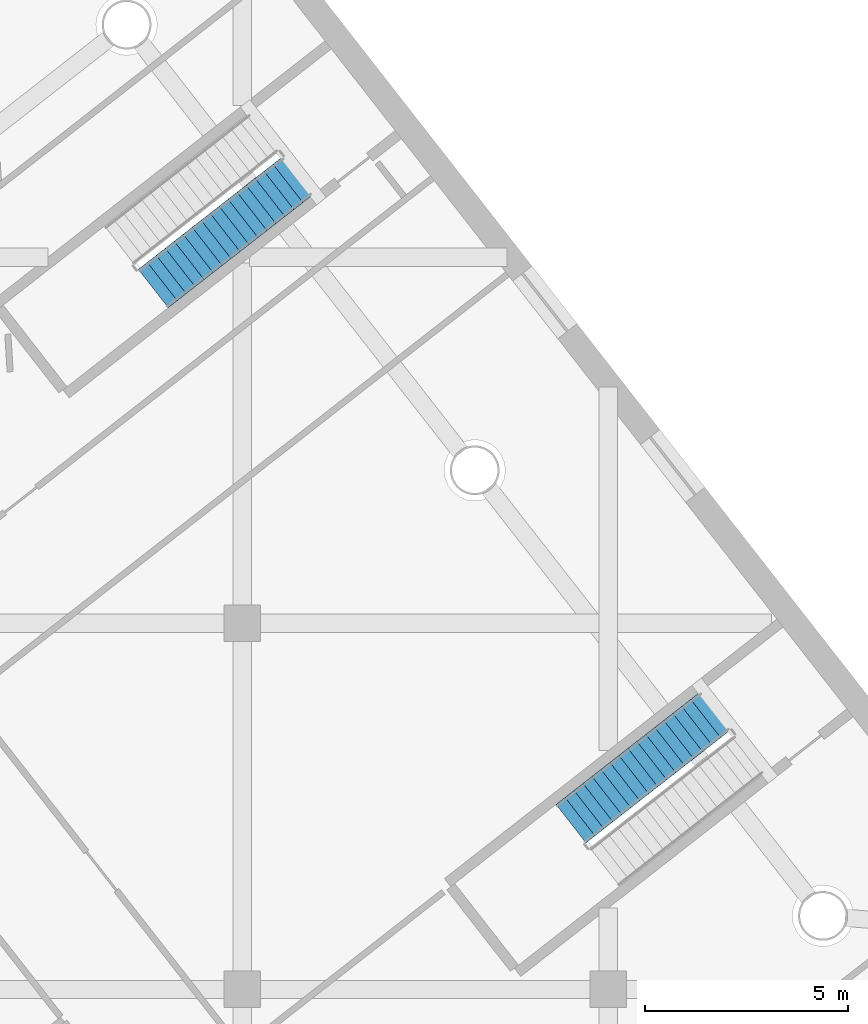
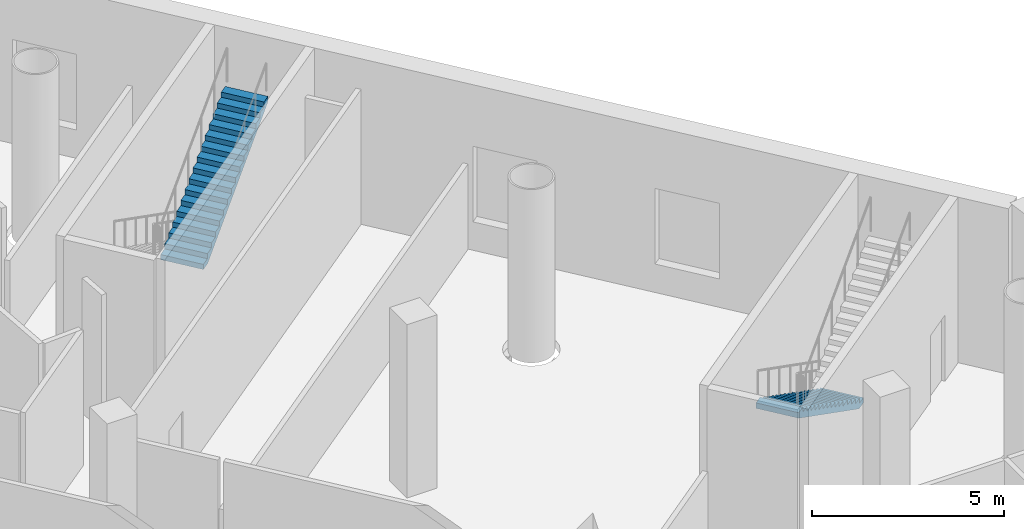
# One storey, part 18 of 23: 2 stair flights, 2 elements without a shape of their own.
"""IFC4 building model written with IfcOpenShell, lengths in metres."""

from ifc_helpers import new_model, si_unit, direction, frame, origin, place, context, subcontext, project, spatial, faceted_brep, material, type_object, element, aggregate, save


model = new_model("IFC4")

# Units and contexts
model_context = context("Model", 3, precision=1e-05, world=origin(), true_north=direction((0.0, 1.0)))
body_context = subcontext(model_context, "Body", "Model", "MODEL_VIEW")
ifc_project = project(units=[si_unit("LENGTHUNIT", "METRE"), si_unit("AREAUNIT", "SQUARE_METRE"), si_unit("VOLUMEUNIT", "CUBIC_METRE"), si_unit("PLANEANGLEUNIT", "RADIAN"), si_unit("MASSUNIT", "GRAM", prefix="KILO")], contexts=[model_context])

# Site, building, storey
site_placement = place(None, origin())
site = spatial("IfcSite", under=ifc_project, at=site_placement, CompositionType="ELEMENT")
building_placement = place(site_placement, origin())
building = spatial("IfcBuilding", under=site, at=building_placement, Name="Tarsis Ring Headquarters", CompositionType="ELEMENT")
storey_placement = place(building_placement, frame((0.0, 0.0, 19.5)))
storey = spatial("IfcBuildingStorey", under=building, at=storey_placement, Name="L03", CompositionType="ELEMENT", Elevation=19.5)

# Stair, stair flight
ifc_material = material(Name="Concrete C40/50", Category="concrete")
stair_type = type_object("IfcStairType", Name="PO-ST", PredefinedType="HALF_TURN_STAIR", material=ifc_material)
stair_1_placement = place(storey_placement, origin())
stair_1 = element("IfcStair", 1, at=stair_1_placement, inside=storey, type_object=stair_type, Name="L03 Podium stair", PredefinedType="HALF_TURN_STAIR")
stair_flight_type = type_object("IfcStairFlightType", Name="PO-STF", PredefinedType="STRAIGHT", material=ifc_material)
stair_flight_1_placement = place(storey_placement, frame((-6.387939453125, 33.8330078125, 0.0), z_axis=(0.0, 0.0, 1.0), x_axis=(-0.788276433435, -0.615321269331, 0.0)))
stair_flight_1 = element("IfcStairFlight", 2, at=stair_flight_1_placement, type_object=stair_flight_type, Name="Stair PS3 flight 1", NumberOfRisers=17, NumberOfTreads=16, PredefinedType="STRAIGHT", RiserHeight=0.161764706, TreadLength=0.28, context=body_context, shape_type="Brep", body=[
    faceted_brep([(0.0, 0.60009765625, 0.0), (0.0, 0.60009765625, 0.161865234375), (0.280029296875, 0.60009765625, 0.161865234375), (0.280029296875, 0.60009765625, 0.323486328125), (0.56005859375, 0.60009765625, 0.323486328125), (0.56005859375, 0.60009765625, 0.4853515625), (0.840087890625, 0.60009765625, 0.4853515625), (0.840087890625, 0.60009765625, 0.64697265625), (1.1201171875, 0.60009765625, 0.64697265625), (1.1201171875, 0.60009765625, 0.808837890625), (1.39990234375, 0.60009765625, 0.808837890625), (1.39990234375, 0.60009765625, 0.970703125), (1.679931640625, 0.60009765625, 0.970703125), (1.679931640625, 0.60009765625, 1.13232421875), (1.9599609375, 0.60009765625, 1.13232421875), (1.9599609375, 0.60009765625, 1.294189453125), (2.239990234375, 0.60009765625, 1.294189453125), (2.239990234375, 0.60009765625, 1.455810546875), (2.52001953125, 0.60009765625, 1.455810546875), (2.52001953125, 0.60009765625, 1.61767578125), (2.800048828125, 0.60009765625, 1.61767578125), (2.800048828125, 0.60009765625, 1.779296875), (3.080078125, 0.60009765625, 1.779296875), (3.080078125, 0.60009765625, 1.941162109375), (3.360107421875, 0.60009765625, 1.941162109375), (3.360107421875, 0.60009765625, 2.10302734375), (3.639892578125, 0.60009765625, 2.10302734375), (3.639892578125, 0.60009765625, 2.2646484375), (3.919921875, 0.60009765625, 2.2646484375), (3.919921875, 0.60009765625, 2.426513671875), (4.199951171875, 0.60009765625, 2.426513671875), (4.199951171875, 0.60009765625, 2.588134765625), (4.47998046875, 0.60009765625, 2.588134765625), (4.47998046875, 0.60009765625, 2.4150390625), (0.299560546875, 0.60009765625, 0.0), (0.299560546875, -0.60009765625, 0.0), (4.47998046875, -0.60009765625, 2.4150390625), (4.47998046875, -0.60009765625, 2.588134765625), (4.199951171875, -0.60009765625, 2.588134765625), (4.199951171875, -0.60009765625, 2.426513671875), (3.919921875, -0.60009765625, 2.426513671875), (3.919921875, -0.60009765625, 2.2646484375), (3.639892578125, -0.60009765625, 2.2646484375), (3.639892578125, -0.60009765625, 2.10302734375), (3.360107421875, -0.60009765625, 2.10302734375), (3.360107421875, -0.60009765625, 1.941162109375), (3.080078125, -0.60009765625, 1.941162109375), (3.080078125, -0.60009765625, 1.779296875), (2.800048828125, -0.60009765625, 1.779296875), (2.800048828125, -0.60009765625, 1.61767578125), (2.52001953125, -0.60009765625, 1.61767578125), (2.52001953125, -0.60009765625, 1.455810546875), (2.239990234375, -0.60009765625, 1.455810546875), (2.239990234375, -0.60009765625, 1.294189453125), (1.9599609375, -0.60009765625, 1.294189453125), (1.9599609375, -0.60009765625, 1.13232421875), (1.679931640625, -0.60009765625, 1.13232421875), (1.679931640625, -0.60009765625, 0.970703125), (1.39990234375, -0.60009765625, 0.970703125), (1.39990234375, -0.60009765625, 0.808837890625), (1.1201171875, -0.60009765625, 0.808837890625), (1.1201171875, -0.60009765625, 0.64697265625), (0.840087890625, -0.60009765625, 0.64697265625), (0.840087890625, -0.60009765625, 0.4853515625), (0.56005859375, -0.60009765625, 0.4853515625), (0.56005859375, -0.60009765625, 0.323486328125), (0.280029296875, -0.60009765625, 0.323486328125), (0.280029296875, -0.60009765625, 0.161865234375), (0.0, -0.60009765625, 0.161865234375), (0.0, -0.60009765625, 0.0), (0.0, -0.300048828125, 0.161865234375), (0.0, -0.300048828125, 0.0), (0.0, 0.0, 0.161865234375), (0.0, 0.0, 0.0), (0.0, 0.300048828125, 0.161865234375), (0.0, 0.300048828125, 0.0), (0.280029296875, -0.300048828125, 0.161865234375), (0.280029296875, 0.0, 0.161865234375), (0.280029296875, 0.300048828125, 0.161865234375), (0.280029296875, -0.300048828125, 0.323486328125), (0.280029296875, 0.0, 0.323486328125), (0.280029296875, 0.300048828125, 0.323486328125), (0.56005859375, -0.300048828125, 0.323486328125), (0.56005859375, 0.0, 0.323486328125), (0.56005859375, 0.300048828125, 0.323486328125), (0.56005859375, -0.300048828125, 0.4853515625), (0.56005859375, 0.0, 0.4853515625), (0.56005859375, 0.300048828125, 0.4853515625), (0.840087890625, -0.300048828125, 0.4853515625), (0.840087890625, 0.0, 0.4853515625), (0.840087890625, 0.300048828125, 0.4853515625), (0.840087890625, -0.300048828125, 0.64697265625), (0.840087890625, 0.0, 0.64697265625), (0.840087890625, 0.300048828125, 0.64697265625), (1.1201171875, -0.300048828125, 0.64697265625), (1.1201171875, 0.0, 0.64697265625), (1.1201171875, 0.300048828125, 0.64697265625), (1.1201171875, -0.300048828125, 0.808837890625), (1.1201171875, 0.0, 0.808837890625), (1.1201171875, 0.300048828125, 0.808837890625), (1.39990234375, -0.300048828125, 0.808837890625), (1.39990234375, 0.0, 0.808837890625), (1.39990234375, 0.300048828125, 0.808837890625), (1.39990234375, -0.300048828125, 0.970703125), (1.39990234375, 0.0, 0.970703125), (1.39990234375, 0.300048828125, 0.970703125), (1.679931640625, -0.300048828125, 0.970703125), (1.679931640625, 0.0, 0.970703125), (1.679931640625, 0.300048828125, 0.970703125), (1.679931640625, -0.300048828125, 1.13232421875), (1.679931640625, 0.0, 1.13232421875), (1.679931640625, 0.300048828125, 1.13232421875), (1.9599609375, -0.300048828125, 1.13232421875), (1.9599609375, 0.0, 1.13232421875), (1.9599609375, 0.300048828125, 1.13232421875), (1.9599609375, -0.300048828125, 1.294189453125), (1.9599609375, 0.0, 1.294189453125), (1.9599609375, 0.300048828125, 1.294189453125), (2.239990234375, -0.300048828125, 1.294189453125), (2.239990234375, 0.0, 1.294189453125), (2.239990234375, 0.300048828125, 1.294189453125), (2.239990234375, -0.300048828125, 1.455810546875), (2.239990234375, 0.0, 1.455810546875), (2.239990234375, 0.300048828125, 1.455810546875), (2.52001953125, -0.300048828125, 1.455810546875), (2.52001953125, 0.0, 1.455810546875), (2.52001953125, 0.300048828125, 1.455810546875), (2.52001953125, -0.300048828125, 1.61767578125), (2.52001953125, 0.0, 1.61767578125), (2.52001953125, 0.300048828125, 1.61767578125), (2.800048828125, -0.300048828125, 1.61767578125), (2.800048828125, 0.0, 1.61767578125), (2.800048828125, 0.300048828125, 1.61767578125), (2.800048828125, -0.300048828125, 1.779296875), (2.800048828125, 0.0, 1.779296875), (2.800048828125, 0.300048828125, 1.779296875), (3.080078125, -0.300048828125, 1.779296875), (3.080078125, 0.0, 1.779296875), (3.080078125, 0.300048828125, 1.779296875), (3.080078125, -0.300048828125, 1.941162109375), (3.080078125, 0.0, 1.941162109375), (3.080078125, 0.300048828125, 1.941162109375), (3.360107421875, -0.300048828125, 1.941162109375), (3.360107421875, 0.0, 1.941162109375), (3.360107421875, 0.300048828125, 1.941162109375), (3.360107421875, -0.300048828125, 2.10302734375), (3.360107421875, 0.0, 2.10302734375), (3.360107421875, 0.300048828125, 2.10302734375), (3.639892578125, -0.300048828125, 2.10302734375), (3.639892578125, 0.0, 2.10302734375), (3.639892578125, 0.300048828125, 2.10302734375), (3.639892578125, -0.300048828125, 2.2646484375), (3.639892578125, 0.0, 2.2646484375), (3.639892578125, 0.300048828125, 2.2646484375), (3.919921875, -0.300048828125, 2.2646484375), (3.919921875, 0.0, 2.2646484375), (3.919921875, 0.300048828125, 2.2646484375), (3.919921875, -0.300048828125, 2.426513671875), (3.919921875, 0.0, 2.426513671875), (3.919921875, 0.300048828125, 2.426513671875), (4.199951171875, -0.300048828125, 2.426513671875), (4.199951171875, 0.0, 2.426513671875), (4.199951171875, 0.300048828125, 2.426513671875), (4.199951171875, -0.300048828125, 2.588134765625), (4.199951171875, 0.0, 2.588134765625), (4.199951171875, 0.300048828125, 2.588134765625), (4.47998046875, -0.300048828125, 2.588134765625), (4.47998046875, 0.0, 2.588134765625), (4.47998046875, 0.300048828125, 2.588134765625), (4.47998046875, -0.300048828125, 2.4150390625), (4.47998046875, 0.0, 2.4150390625), (4.47998046875, 0.300048828125, 2.4150390625), (0.299560546875, -0.300048828125, 0.0), (0.299560546875, 0.0, 0.0), (0.299560546875, 0.300048828125, 0.0)], [[[0, 1, 2, 3, 4, 5, 6, 7, 8, 9, 10, 11, 12, 13, 14, 15, 16, 17, 18, 19, 20, 21, 22, 23, 24, 25, 26, 27, 28, 29, 30, 31, 32, 33, 34]], [[35, 36, 37, 38, 39, 40, 41, 42, 43, 44, 45, 46, 47, 48, 49, 50, 51, 52, 53, 54, 55, 56, 57, 58, 59, 60, 61, 62, 63, 64, 65, 66, 67, 68, 69]], [[69, 68, 70, 71]], [[71, 70, 72, 73]], [[73, 72, 74, 75]], [[75, 74, 1, 0]], [[68, 67, 76, 70]], [[70, 76, 77, 72]], [[72, 77, 78, 74]], [[74, 78, 2, 1]], [[67, 66, 79, 76]], [[76, 79, 80, 77]], [[77, 80, 81, 78]], [[78, 81, 3, 2]], [[66, 65, 82, 79]], [[79, 82, 83, 80]], [[80, 83, 84, 81]], [[81, 84, 4, 3]], [[65, 64, 85, 82]], [[82, 85, 86, 83]], [[83, 86, 87, 84]], [[84, 87, 5, 4]], [[64, 63, 88, 85]], [[85, 88, 89, 86]], [[86, 89, 90, 87]], [[87, 90, 6, 5]], [[63, 62, 91, 88]], [[88, 91, 92, 89]], [[89, 92, 93, 90]], [[90, 93, 7, 6]], [[62, 61, 94, 91]], [[91, 94, 95, 92]], [[92, 95, 96, 93]], [[93, 96, 8, 7]], [[61, 60, 97, 94]], [[94, 97, 98, 95]], [[95, 98, 99, 96]], [[96, 99, 9, 8]], [[60, 59, 100, 97]], [[97, 100, 101, 98]], [[98, 101, 102, 99]], [[99, 102, 10, 9]], [[59, 58, 103, 100]], [[100, 103, 104, 101]], [[101, 104, 105, 102]], [[102, 105, 11, 10]], [[58, 57, 106, 103]], [[103, 106, 107, 104]], [[104, 107, 108, 105]], [[105, 108, 12, 11]], [[57, 56, 109, 106]], [[106, 109, 110, 107]], [[107, 110, 111, 108]], [[108, 111, 13, 12]], [[56, 55, 112, 109]], [[109, 112, 113, 110]], [[110, 113, 114, 111]], [[111, 114, 14, 13]], [[55, 54, 115, 112]], [[112, 115, 116, 113]], [[113, 116, 117, 114]], [[114, 117, 15, 14]], [[54, 53, 118, 115]], [[115, 118, 119, 116]], [[116, 119, 120, 117]], [[117, 120, 16, 15]], [[53, 52, 121, 118]], [[118, 121, 122, 119]], [[119, 122, 123, 120]], [[120, 123, 17, 16]], [[52, 51, 124, 121]], [[121, 124, 125, 122]], [[122, 125, 126, 123]], [[123, 126, 18, 17]], [[51, 50, 127, 124]], [[124, 127, 128, 125]], [[125, 128, 129, 126]], [[126, 129, 19, 18]], [[50, 49, 130, 127]], [[127, 130, 131, 128]], [[128, 131, 132, 129]], [[129, 132, 20, 19]], [[49, 48, 133, 130]], [[130, 133, 134, 131]], [[131, 134, 135, 132]], [[132, 135, 21, 20]], [[48, 47, 136, 133]], [[133, 136, 137, 134]], [[134, 137, 138, 135]], [[135, 138, 22, 21]], [[47, 46, 139, 136]], [[136, 139, 140, 137]], [[137, 140, 141, 138]], [[138, 141, 23, 22]], [[46, 45, 142, 139]], [[139, 142, 143, 140]], [[140, 143, 144, 141]], [[141, 144, 24, 23]], [[45, 44, 145, 142]], [[142, 145, 146, 143]], [[143, 146, 147, 144]], [[144, 147, 25, 24]], [[44, 43, 148, 145]], [[145, 148, 149, 146]], [[146, 149, 150, 147]], [[147, 150, 26, 25]], [[43, 42, 151, 148]], [[148, 151, 152, 149]], [[149, 152, 153, 150]], [[150, 153, 27, 26]], [[42, 41, 154, 151]], [[151, 154, 155, 152]], [[152, 155, 156, 153]], [[153, 156, 28, 27]], [[41, 40, 157, 154]], [[154, 157, 158, 155]], [[155, 158, 159, 156]], [[156, 159, 29, 28]], [[40, 39, 160, 157]], [[157, 160, 161, 158]], [[158, 161, 162, 159]], [[159, 162, 30, 29]], [[39, 38, 163, 160]], [[160, 163, 164, 161]], [[161, 164, 165, 162]], [[162, 165, 31, 30]], [[38, 37, 166, 163]], [[163, 166, 167, 164]], [[164, 167, 168, 165]], [[165, 168, 32, 31]], [[37, 36, 169, 166]], [[166, 169, 170, 167]], [[167, 170, 171, 168]], [[168, 171, 33, 32]], [[36, 35, 172, 169]], [[169, 172, 173, 170]], [[170, 173, 174, 171]], [[171, 174, 34, 33]], [[35, 69, 71, 172]], [[172, 71, 73, 173]], [[173, 73, 75, 174]], [[174, 75, 0, 34]]]),
])
aggregate(stair_1, [stair_flight_1])

stair_2_placement = place(storey_placement, origin())
stair_2 = element("IfcStair", 3, at=stair_2_placement, inside=storey, type_object=stair_type, Name="L03 Podium stair", PredefinedType="HALF_TURN_STAIR")
stair_flight_2_placement = place(storey_placement, frame((-20.188720703125, 44.232177734375, 2.75), z_axis=(0.0, 0.0, 1.0), x_axis=(0.788276433435, 0.615321269331, 0.0)))
stair_flight_2 = element("IfcStairFlight", 4, at=stair_flight_2_placement, type_object=stair_flight_type, Name="Stair PS4 flight 2", NumberOfRisers=17, NumberOfTreads=16, PredefinedType="STRAIGHT", RiserHeight=0.161764706, TreadLength=0.28, context=body_context, shape_type="Brep", body=[
    faceted_brep([(0.0, 0.60009765625, 0.0), (0.0, 0.60009765625, 0.161865234375), (0.280029296875, 0.60009765625, 0.161865234375), (0.280029296875, 0.60009765625, 0.323486328125), (0.56005859375, 0.60009765625, 0.323486328125), (0.56005859375, 0.60009765625, 0.4853515625), (0.840087890625, 0.60009765625, 0.4853515625), (0.840087890625, 0.60009765625, 0.64697265625), (1.1201171875, 0.60009765625, 0.64697265625), (1.1201171875, 0.60009765625, 0.808837890625), (1.39990234375, 0.60009765625, 0.808837890625), (1.39990234375, 0.60009765625, 0.970703125), (1.679931640625, 0.60009765625, 0.970703125), (1.679931640625, 0.60009765625, 1.13232421875), (1.9599609375, 0.60009765625, 1.13232421875), (1.9599609375, 0.60009765625, 1.294189453125), (2.239990234375, 0.60009765625, 1.294189453125), (2.239990234375, 0.60009765625, 1.455810546875), (2.52001953125, 0.60009765625, 1.455810546875), (2.52001953125, 0.60009765625, 1.61767578125), (2.800048828125, 0.60009765625, 1.61767578125), (2.800048828125, 0.60009765625, 1.779296875), (3.080078125, 0.60009765625, 1.779296875), (3.080078125, 0.60009765625, 1.941162109375), (3.360107421875, 0.60009765625, 1.941162109375), (3.360107421875, 0.60009765625, 2.10302734375), (3.639892578125, 0.60009765625, 2.10302734375), (3.639892578125, 0.60009765625, 2.2646484375), (3.919921875, 0.60009765625, 2.2646484375), (3.919921875, 0.60009765625, 2.426513671875), (4.199951171875, 0.60009765625, 2.426513671875), (4.199951171875, 0.60009765625, 2.588134765625), (4.47998046875, 0.60009765625, 2.588134765625), (4.47998046875, 0.60009765625, 2.4150390625), (0.299560546875, 0.60009765625, 0.0), (0.299560546875, -0.60009765625, 0.0), (4.47998046875, -0.60009765625, 2.4150390625), (4.47998046875, -0.60009765625, 2.588134765625), (4.199951171875, -0.60009765625, 2.588134765625), (4.199951171875, -0.60009765625, 2.426513671875), (3.919921875, -0.60009765625, 2.426513671875), (3.919921875, -0.60009765625, 2.2646484375), (3.639892578125, -0.60009765625, 2.2646484375), (3.639892578125, -0.60009765625, 2.10302734375), (3.360107421875, -0.60009765625, 2.10302734375), (3.360107421875, -0.60009765625, 1.941162109375), (3.080078125, -0.60009765625, 1.941162109375), (3.080078125, -0.60009765625, 1.779296875), (2.800048828125, -0.60009765625, 1.779296875), (2.800048828125, -0.60009765625, 1.61767578125), (2.52001953125, -0.60009765625, 1.61767578125), (2.52001953125, -0.60009765625, 1.455810546875), (2.239990234375, -0.60009765625, 1.455810546875), (2.239990234375, -0.60009765625, 1.294189453125), (1.9599609375, -0.60009765625, 1.294189453125), (1.9599609375, -0.60009765625, 1.13232421875), (1.679931640625, -0.60009765625, 1.13232421875), (1.679931640625, -0.60009765625, 0.970703125), (1.39990234375, -0.60009765625, 0.970703125), (1.39990234375, -0.60009765625, 0.808837890625), (1.1201171875, -0.60009765625, 0.808837890625), (1.1201171875, -0.60009765625, 0.64697265625), (0.840087890625, -0.60009765625, 0.64697265625), (0.840087890625, -0.60009765625, 0.4853515625), (0.56005859375, -0.60009765625, 0.4853515625), (0.56005859375, -0.60009765625, 0.323486328125), (0.280029296875, -0.60009765625, 0.323486328125), (0.280029296875, -0.60009765625, 0.161865234375), (0.0, -0.60009765625, 0.161865234375), (0.0, -0.60009765625, 0.0), (0.0, -0.300048828125, 0.161865234375), (0.0, -0.300048828125, 0.0), (0.0, 0.0, 0.161865234375), (0.0, 0.0, 0.0), (0.0, 0.300048828125, 0.161865234375), (0.0, 0.300048828125, 0.0), (0.280029296875, -0.300048828125, 0.161865234375), (0.280029296875, 0.0, 0.161865234375), (0.280029296875, 0.300048828125, 0.161865234375), (0.280029296875, -0.300048828125, 0.323486328125), (0.280029296875, 0.0, 0.323486328125), (0.280029296875, 0.300048828125, 0.323486328125), (0.56005859375, -0.300048828125, 0.323486328125), (0.56005859375, 0.0, 0.323486328125), (0.56005859375, 0.300048828125, 0.323486328125), (0.56005859375, -0.300048828125, 0.4853515625), (0.56005859375, 0.0, 0.4853515625), (0.56005859375, 0.300048828125, 0.4853515625), (0.840087890625, -0.300048828125, 0.4853515625), (0.840087890625, 0.0, 0.4853515625), (0.840087890625, 0.300048828125, 0.4853515625), (0.840087890625, -0.300048828125, 0.64697265625), (0.840087890625, 0.0, 0.64697265625), (0.840087890625, 0.300048828125, 0.64697265625), (1.1201171875, -0.300048828125, 0.64697265625), (1.1201171875, 0.0, 0.64697265625), (1.1201171875, 0.300048828125, 0.64697265625), (1.1201171875, -0.300048828125, 0.808837890625), (1.1201171875, 0.0, 0.808837890625), (1.1201171875, 0.300048828125, 0.808837890625), (1.39990234375, -0.300048828125, 0.808837890625), (1.39990234375, 0.0, 0.808837890625), (1.39990234375, 0.300048828125, 0.808837890625), (1.39990234375, -0.300048828125, 0.970703125), (1.39990234375, 0.0, 0.970703125), (1.39990234375, 0.300048828125, 0.970703125), (1.679931640625, -0.300048828125, 0.970703125), (1.679931640625, 0.0, 0.970703125), (1.679931640625, 0.300048828125, 0.970703125), (1.679931640625, -0.300048828125, 1.13232421875), (1.679931640625, 0.0, 1.13232421875), (1.679931640625, 0.300048828125, 1.13232421875), (1.9599609375, -0.300048828125, 1.13232421875), (1.9599609375, 0.0, 1.13232421875), (1.9599609375, 0.300048828125, 1.13232421875), (1.9599609375, -0.300048828125, 1.294189453125), (1.9599609375, 0.0, 1.294189453125), (1.9599609375, 0.300048828125, 1.294189453125), (2.239990234375, -0.300048828125, 1.294189453125), (2.239990234375, 0.0, 1.294189453125), (2.239990234375, 0.300048828125, 1.294189453125), (2.239990234375, -0.300048828125, 1.455810546875), (2.239990234375, 0.0, 1.455810546875), (2.239990234375, 0.300048828125, 1.455810546875), (2.52001953125, -0.300048828125, 1.455810546875), (2.52001953125, 0.0, 1.455810546875), (2.52001953125, 0.300048828125, 1.455810546875), (2.52001953125, -0.300048828125, 1.61767578125), (2.52001953125, 0.0, 1.61767578125), (2.52001953125, 0.300048828125, 1.61767578125), (2.800048828125, -0.300048828125, 1.61767578125), (2.800048828125, 0.0, 1.61767578125), (2.800048828125, 0.300048828125, 1.61767578125), (2.800048828125, -0.300048828125, 1.779296875), (2.800048828125, 0.0, 1.779296875), (2.800048828125, 0.300048828125, 1.779296875), (3.080078125, -0.300048828125, 1.779296875), (3.080078125, 0.0, 1.779296875), (3.080078125, 0.300048828125, 1.779296875), (3.080078125, -0.300048828125, 1.941162109375), (3.080078125, 0.0, 1.941162109375), (3.080078125, 0.300048828125, 1.941162109375), (3.360107421875, -0.300048828125, 1.941162109375), (3.360107421875, 0.0, 1.941162109375), (3.360107421875, 0.300048828125, 1.941162109375), (3.360107421875, -0.300048828125, 2.10302734375), (3.360107421875, 0.0, 2.10302734375), (3.360107421875, 0.300048828125, 2.10302734375), (3.639892578125, -0.300048828125, 2.10302734375), (3.639892578125, 0.0, 2.10302734375), (3.639892578125, 0.300048828125, 2.10302734375), (3.639892578125, -0.300048828125, 2.2646484375), (3.639892578125, 0.0, 2.2646484375), (3.639892578125, 0.300048828125, 2.2646484375), (3.919921875, -0.300048828125, 2.2646484375), (3.919921875, 0.0, 2.2646484375), (3.919921875, 0.300048828125, 2.2646484375), (3.919921875, -0.300048828125, 2.426513671875), (3.919921875, 0.0, 2.426513671875), (3.919921875, 0.300048828125, 2.426513671875), (4.199951171875, -0.300048828125, 2.426513671875), (4.199951171875, 0.0, 2.426513671875), (4.199951171875, 0.300048828125, 2.426513671875), (4.199951171875, -0.300048828125, 2.588134765625), (4.199951171875, 0.0, 2.588134765625), (4.199951171875, 0.300048828125, 2.588134765625), (4.47998046875, -0.300048828125, 2.588134765625), (4.47998046875, 0.0, 2.588134765625), (4.47998046875, 0.300048828125, 2.588134765625), (4.47998046875, -0.300048828125, 2.4150390625), (4.47998046875, 0.0, 2.4150390625), (4.47998046875, 0.300048828125, 2.4150390625), (0.299560546875, -0.300048828125, 0.0), (0.299560546875, 0.0, 0.0), (0.299560546875, 0.300048828125, 0.0)], [[[0, 1, 2, 3, 4, 5, 6, 7, 8, 9, 10, 11, 12, 13, 14, 15, 16, 17, 18, 19, 20, 21, 22, 23, 24, 25, 26, 27, 28, 29, 30, 31, 32, 33, 34]], [[35, 36, 37, 38, 39, 40, 41, 42, 43, 44, 45, 46, 47, 48, 49, 50, 51, 52, 53, 54, 55, 56, 57, 58, 59, 60, 61, 62, 63, 64, 65, 66, 67, 68, 69]], [[69, 68, 70, 71]], [[71, 70, 72, 73]], [[73, 72, 74, 75]], [[75, 74, 1, 0]], [[68, 67, 76, 70]], [[70, 76, 77, 72]], [[72, 77, 78, 74]], [[74, 78, 2, 1]], [[67, 66, 79, 76]], [[76, 79, 80, 77]], [[77, 80, 81, 78]], [[78, 81, 3, 2]], [[66, 65, 82, 79]], [[79, 82, 83, 80]], [[80, 83, 84, 81]], [[81, 84, 4, 3]], [[65, 64, 85, 82]], [[82, 85, 86, 83]], [[83, 86, 87, 84]], [[84, 87, 5, 4]], [[64, 63, 88, 85]], [[85, 88, 89, 86]], [[86, 89, 90, 87]], [[87, 90, 6, 5]], [[63, 62, 91, 88]], [[88, 91, 92, 89]], [[89, 92, 93, 90]], [[90, 93, 7, 6]], [[62, 61, 94, 91]], [[91, 94, 95, 92]], [[92, 95, 96, 93]], [[93, 96, 8, 7]], [[61, 60, 97, 94]], [[94, 97, 98, 95]], [[95, 98, 99, 96]], [[96, 99, 9, 8]], [[60, 59, 100, 97]], [[97, 100, 101, 98]], [[98, 101, 102, 99]], [[99, 102, 10, 9]], [[59, 58, 103, 100]], [[100, 103, 104, 101]], [[101, 104, 105, 102]], [[102, 105, 11, 10]], [[58, 57, 106, 103]], [[103, 106, 107, 104]], [[104, 107, 108, 105]], [[105, 108, 12, 11]], [[57, 56, 109, 106]], [[106, 109, 110, 107]], [[107, 110, 111, 108]], [[108, 111, 13, 12]], [[56, 55, 112, 109]], [[109, 112, 113, 110]], [[110, 113, 114, 111]], [[111, 114, 14, 13]], [[55, 54, 115, 112]], [[112, 115, 116, 113]], [[113, 116, 117, 114]], [[114, 117, 15, 14]], [[54, 53, 118, 115]], [[115, 118, 119, 116]], [[116, 119, 120, 117]], [[117, 120, 16, 15]], [[53, 52, 121, 118]], [[118, 121, 122, 119]], [[119, 122, 123, 120]], [[120, 123, 17, 16]], [[52, 51, 124, 121]], [[121, 124, 125, 122]], [[122, 125, 126, 123]], [[123, 126, 18, 17]], [[51, 50, 127, 124]], [[124, 127, 128, 125]], [[125, 128, 129, 126]], [[126, 129, 19, 18]], [[50, 49, 130, 127]], [[127, 130, 131, 128]], [[128, 131, 132, 129]], [[129, 132, 20, 19]], [[49, 48, 133, 130]], [[130, 133, 134, 131]], [[131, 134, 135, 132]], [[132, 135, 21, 20]], [[48, 47, 136, 133]], [[133, 136, 137, 134]], [[134, 137, 138, 135]], [[135, 138, 22, 21]], [[47, 46, 139, 136]], [[136, 139, 140, 137]], [[137, 140, 141, 138]], [[138, 141, 23, 22]], [[46, 45, 142, 139]], [[139, 142, 143, 140]], [[140, 143, 144, 141]], [[141, 144, 24, 23]], [[45, 44, 145, 142]], [[142, 145, 146, 143]], [[143, 146, 147, 144]], [[144, 147, 25, 24]], [[44, 43, 148, 145]], [[145, 148, 149, 146]], [[146, 149, 150, 147]], [[147, 150, 26, 25]], [[43, 42, 151, 148]], [[148, 151, 152, 149]], [[149, 152, 153, 150]], [[150, 153, 27, 26]], [[42, 41, 154, 151]], [[151, 154, 155, 152]], [[152, 155, 156, 153]], [[153, 156, 28, 27]], [[41, 40, 157, 154]], [[154, 157, 158, 155]], [[155, 158, 159, 156]], [[156, 159, 29, 28]], [[40, 39, 160, 157]], [[157, 160, 161, 158]], [[158, 161, 162, 159]], [[159, 162, 30, 29]], [[39, 38, 163, 160]], [[160, 163, 164, 161]], [[161, 164, 165, 162]], [[162, 165, 31, 30]], [[38, 37, 166, 163]], [[163, 166, 167, 164]], [[164, 167, 168, 165]], [[165, 168, 32, 31]], [[37, 36, 169, 166]], [[166, 169, 170, 167]], [[167, 170, 171, 168]], [[168, 171, 33, 32]], [[36, 35, 172, 169]], [[169, 172, 173, 170]], [[170, 173, 174, 171]], [[171, 174, 34, 33]], [[35, 69, 71, 172]], [[172, 71, 73, 173]], [[173, 73, 75, 174]], [[174, 75, 0, 34]]]),
])
aggregate(stair_2, [stair_flight_2])

save(model, "model.ifc")
